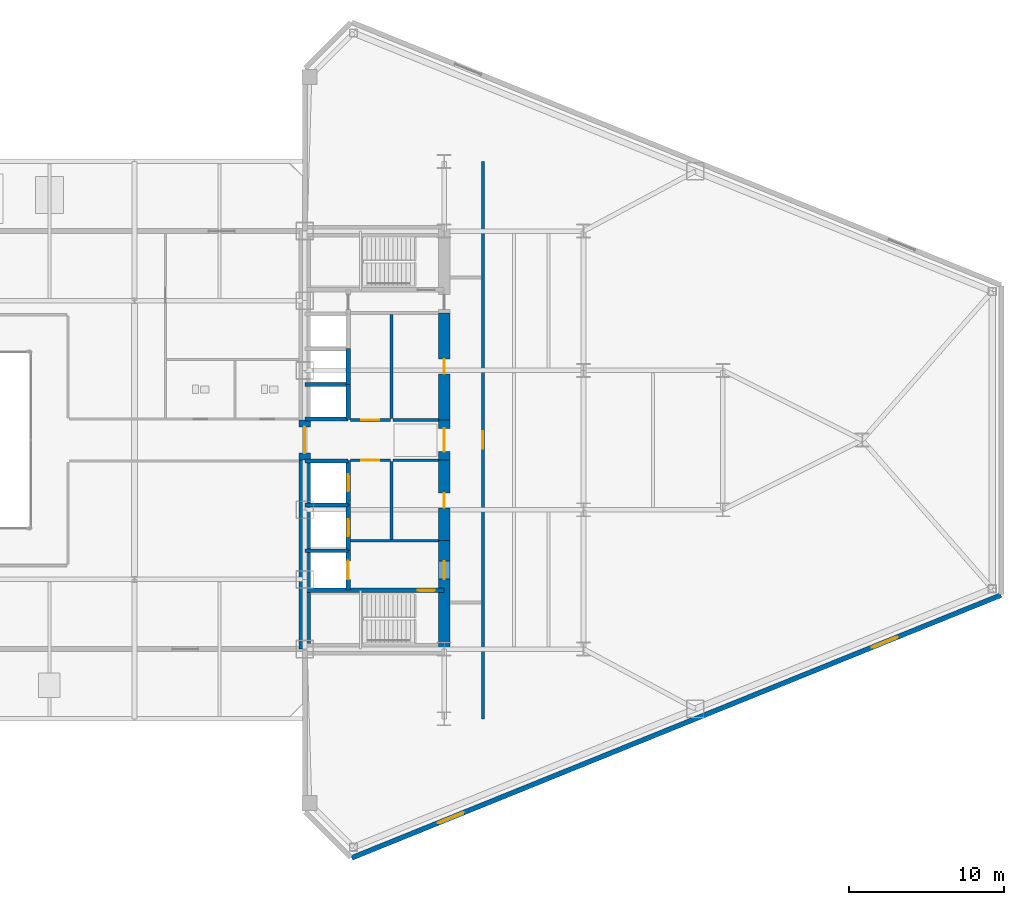
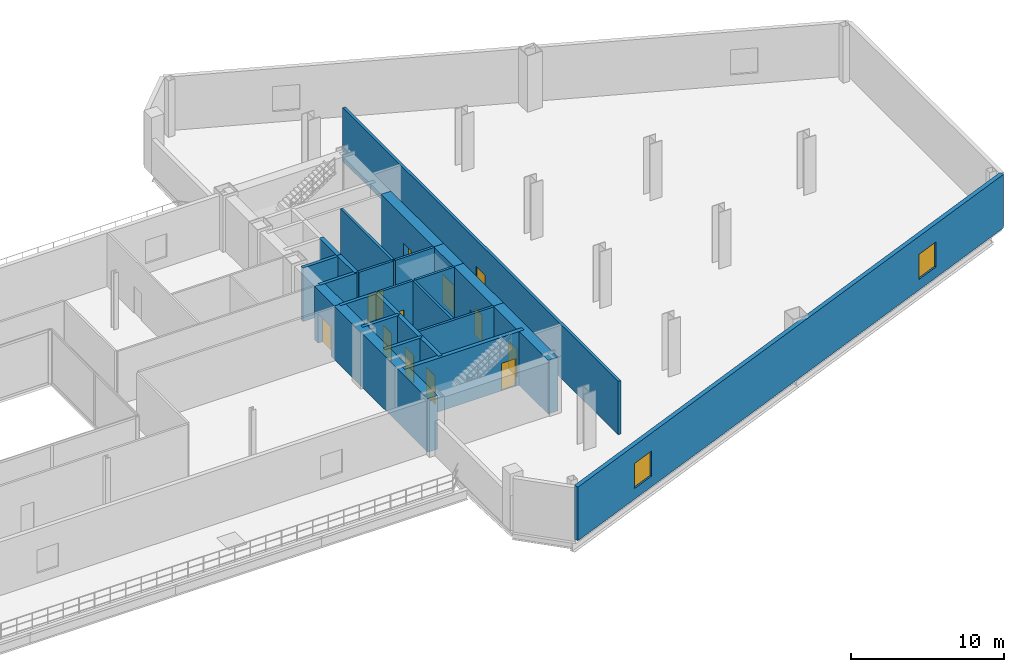
# One storey, part 18 of 23: 26 walls, 12 doors, 2 windows, 14 openings.
"""IFC4 building model written with IfcOpenShell, lengths in metres."""

from ifc_helpers import new_model, si_unit, direction, frame, frame_2d, origin, place, context, subcontext, project, spatial, rectangle, extrude, source, transform, mapped, material, layer, layer_set, type_object, type_shapes, element, fill, save


model = new_model("IFC4")

# Units and contexts
model_context = context("Model", 3, precision=1e-05, world=origin(), true_north=direction((0.0, 1.0)))
body_context = subcontext(model_context, "Body", "Model", "MODEL_VIEW")
ifc_project = project(units=[si_unit("LENGTHUNIT", "METRE"), si_unit("AREAUNIT", "SQUARE_METRE"), si_unit("VOLUMEUNIT", "CUBIC_METRE"), si_unit("PLANEANGLEUNIT", "RADIAN"), si_unit("MASSUNIT", "GRAM", prefix="KILO")], contexts=[model_context])

# Site, building, storey
site_placement = place(None, origin())
site = spatial("IfcSite", under=ifc_project, at=site_placement, CompositionType="ELEMENT")
building_placement = place(site_placement, origin())
building = spatial("IfcBuilding", under=site, at=building_placement, Name="Seokmaru Belvedere", CompositionType="ELEMENT")
storey_placement = place(building_placement, frame((0.0, 0.0, 14.39990234375)))
storey = spatial("IfcBuildingStorey", under=building, at=storey_placement, Name="L03", CompositionType="ELEMENT", Elevation=14.39990234375)

# Walls
ifc_material_1 = material(Name="Fire-Rated Gypsum Shaftwall")
ifc_layer_1 = layer(ifc_material_1, 0.179931640625)
ifc_layer_set_1 = layer_set([ifc_layer_1], Name="Fire-Rated Gypsum Shaftwall")
wall_type_1 = type_object("IfcWallType", Name="Core Service Fire Partition 180", PredefinedType="PARTITIONING", material=ifc_layer_set_1)
wall_1_placement = place(storey_placement, frame((30.449951171875, -6.5, 0.0), z_axis=(0.0, 0.0, 1.0), x_axis=(1.0, 0.0, 0.0)))
element("IfcWall", 1, at=wall_1_placement, inside=storey, type_object=wall_type_1, Name="L03 East Firefighting Lobby Partition", PredefinedType="PARTITIONING", context=body_context, shape_type="SweptSolid", body=[
    extrude(rectangle(XDim=5.699951171875, YDim=0.179931640625, at=frame_2d((2.85009765625, 0.0))), origin(), (0.0, 0.0, 1.0), 4.280029296875),
])
wall_2_placement = place(storey_placement, frame((33.10009765625, -6.419921875, 0.0), z_axis=(0.0, 0.0, 1.0), x_axis=(0.0, 1.0, 0.0)))
element("IfcWall", 2, at=wall_2_placement, inside=storey, type_object=wall_type_1, Name="L03 East South Core Service Back Wall", PredefinedType="PARTITIONING", context=body_context, shape_type="SweptSolid", body=[
    extrude(rectangle(XDim=5.0400390625, YDim=0.179931640625, at=frame_2d((2.52001953125, 0.0))), origin(), (0.0, 0.0, 1.0), 4.280029296875),
])
wall_3_placement = place(storey_placement, frame((33.10009765625, 1.3798828125, 0.0), z_axis=(0.0, 0.0, 1.0), x_axis=(0.0, 1.0, 0.0)))
element("IfcWall", 3, at=wall_3_placement, inside=storey, type_object=wall_type_1, Name="L03 East North Core Service Back Wall", PredefinedType="PARTITIONING", context=body_context, shape_type="SweptSolid", body=[
    extrude(rectangle(XDim=6.740234375, YDim=0.179931640625, at=frame_2d((3.3701171875, 0.0))), origin(), (0.0, 0.0, 1.0), 4.280029296875),
])

# Wall, opening, door
wall_4_placement = place(storey_placement, frame((30.449951171875, -1.300048828125, 0.0), z_axis=(0.0, 0.0, 1.0), x_axis=(1.0, 0.0, 0.0)))
wall_4 = element("IfcWall", 4, at=wall_4_placement, inside=storey, type_object=wall_type_1, Name="L03 East South Lift Lobby Foyer Wall", PredefinedType="PARTITIONING", context=body_context, shape_type="SweptSolid", body=[
    extrude(rectangle(XDim=2.570068359375, YDim=0.179931640625, at=frame_2d((1.28515625, 0.0))), origin(), (0.0, 0.0, 1.0), 4.280029296875),
])
opening_1_placement = place(wall_4_placement, frame((0.7099609375, 0.0, 0.0)))
opening_1 = element("IfcOpeningElement", 5, at=opening_1_placement, cuts=wall_4, Name="Opening D02", PredefinedType="OPENING", context=body_context, shape_type="SweptSolid", body=[
    extrude(rectangle(XDim=1.14990234375, YDim=2.199951171875, at=frame_2d((0.574951171875, 1.10009765625))), frame((0.0, 0.10009765625, 0.0), z_axis=(0.0, -1.0, 0.0), x_axis=(1.0, 0.0, 0.0)), (0.0, 0.0, 1.0), 0.199951171875),
])
ifc_material_2 = material(Name="Fire-Rated Steel Leaf", Category="steel")
door_type_1 = type_object("IfcDoorType", Name="Lobby and Vestibule Fire Door 1150x2200", OperationType="NOTDEFINED", PredefinedType="DOOR", material=ifc_material_2)
shared_shape_1 = source(origin(), body_context, "Body", "SweptSolid", [
    extrude(rectangle(XDim=1.14990234375, YDim=2.199951171875, at=frame_2d((0.574951171875, 1.10009765625))), frame((0.0, 0.02490234375, 0.0), z_axis=(0.0, -1.0, 0.0), x_axis=(1.0, 0.0, 0.0)), (0.0, 0.0, 1.0), 0.050048828125),
])
type_shapes(door_type_1, [shared_shape_1])
door_1_placement = place(opening_1_placement, origin())
door_1 = element("IfcDoor", 6, at=door_1_placement, inside=storey, type_object=door_type_1, Name="L03 East South Core Foyer Door", OperationType="SINGLE_SWING_RIGHT", OverallHeight=2.199951171875, OverallWidth=1.14990234375, PredefinedType="DOOR", context=body_context, shape_type="MappedRepresentation", body=[
    mapped(shared_shape_1, transform((0.0, 0.0, 0.0), scale=1.0)),
])
fill(opening_1, door_1)

wall_5_placement = place(storey_placement, frame((30.449951171875, 1.300048828125, 0.0), z_axis=(0.0, 0.0, 1.0), x_axis=(1.0, 0.0, 0.0)))
wall_5 = element("IfcWall", 7, at=wall_5_placement, inside=storey, type_object=wall_type_1, Name="L03 East North Lift Lobby Foyer Wall", PredefinedType="PARTITIONING", context=body_context, shape_type="SweptSolid", body=[
    extrude(rectangle(XDim=2.570068359375, YDim=0.179931640625, at=frame_2d((1.28515625, 0.0))), origin(), (0.0, 0.0, 1.0), 4.280029296875),
])
opening_2_placement = place(wall_5_placement, frame((0.7099609375, 0.0, 0.0)))
opening_2 = element("IfcOpeningElement", 8, at=opening_2_placement, cuts=wall_5, Name="Opening D02", PredefinedType="OPENING", context=body_context, shape_type="SweptSolid", body=[
    extrude(rectangle(XDim=1.14990234375, YDim=2.199951171875, at=frame_2d((0.574951171875, 1.10009765625))), frame((0.0, 0.10009765625, 0.0), z_axis=(0.0, -1.0, 0.0), x_axis=(1.0, 0.0, 0.0)), (0.0, 0.0, 1.0), 0.199951171875),
])
door_2_placement = place(opening_2_placement, origin())
door_2 = element("IfcDoor", 9, at=door_2_placement, inside=storey, type_object=door_type_1, Name="L03 East North Lift Lobby Door", OperationType="SINGLE_SWING_LEFT", OverallHeight=2.199951171875, OverallWidth=1.14990234375, PredefinedType="DOOR", context=body_context, shape_type="MappedRepresentation", body=[
    mapped(shared_shape_1, transform((0.0, 0.0, 0.0), scale=1.0)),
])
fill(opening_2, door_2)

# Walls
for number, where, z_axis, x_axis, name in (
    (10, (33.199951171875, -1.300048828125, 0.0), (0.0, 0.0, 1.0), (1.0, 0.0, 0.0), "L03 East Foyer Side Wall S"),
    (11, (33.199951171875, 1.300048828125, 0.0), (0.0, 0.0, 1.0), (1.0, 0.0, 0.0), "L03 East Foyer Side Wall N"),
):
    element("IfcWall", number, at=place(storey_placement, frame(where, z_axis=z_axis, x_axis=x_axis)), inside=storey, type_object=wall_type_1, Name=name, PredefinedType="PARTITIONING", context=body_context, shape_type="SweptSolid", body=[
        extrude(rectangle(XDim=2.949951171875, YDim=0.179931640625, at=frame_2d((1.47509765625, 0.0))), origin(), (0.0, 0.0, 1.0), 4.280029296875),
    ])
ifc_material_3 = material(Name="Concrete C50 (50 MPa)", Category="concrete")
ifc_layer_2 = layer(ifc_material_3, 0.25)
ifc_layer_set_2 = layer_set([ifc_layer_2], Name="Concrete C50 (50 MPa)")
wall_type_2 = type_object("IfcWallType", Name="Hoistway Transverse Concrete Divider Wall 250", PredefinedType="SHEAR", material=ifc_layer_set_2)
for number, where, z_axis, x_axis, name in (
    (12, (27.5, -7.14990234375, 0.0), (0.0, 0.0, 1.0), (1.0, 0.0, 0.0), "L03 East Hoistway Divider Core Wall 1"),
    (13, (27.5, -4.199951171875, 0.0), (0.0, 0.0, 1.0), (1.0, 0.0, 0.0), "L03 East Hoistway Divider Core Wall 2"),
    (14, (27.5, -1.35009765625, 0.0), (0.0, 0.0, 1.0), (1.0, 0.0, 0.0), "L03 East Hoistway Divider Core Wall 3"),
    (15, (27.5, 1.35009765625, 0.0), (0.0, 0.0, 1.0), (1.0, 0.0, 0.0), "L03 East Hoistway Divider Core Wall 4"),
    (16, (27.5, 3.60009765625, 0.0), (0.0, 0.0, 1.0), (1.0, 0.0, 0.0), "L03 East Hoistway Divider Core Wall 5"),
):
    element("IfcWall", number, at=place(storey_placement, frame(where, z_axis=z_axis, x_axis=x_axis)), inside=storey, type_object=wall_type_2, Name=name, PredefinedType="SHEAR", context=body_context, shape_type="SweptSolid", body=[
        extrude(rectangle(XDim=2.800048828125, YDim=0.25, at=frame_2d((1.39990234375, 0.0))), origin(), (0.0, 0.0, 1.0), 4.280029296875),
    ])

# Wall, opening, door
ifc_layer_3 = layer(ifc_material_1, 0.199951171875)
ifc_layer_set_3 = layer_set([ifc_layer_3], Name="Fire-Rated Gypsum Shaftwall")
wall_type_3 = type_object("IfcWallType", Name="Inter-Tenancy Fire Compartment Partition 200", PredefinedType="PARTITIONING", material=ifc_layer_set_3)
wall_6_placement = place(storey_placement, frame((39.0, -18.0, 0.0), z_axis=(0.0, 0.0, 1.0), x_axis=(0.0, 1.0, 0.0)))
wall_6 = element("IfcWall", 17, at=wall_6_placement, inside=storey, type_object=wall_type_3, Name="L03 Interior Partition 019", PredefinedType="PARTITIONING", context=body_context, shape_type="SweptSolid", body=[
    extrude(rectangle(XDim=36.0, YDim=0.199951171875, at=frame_2d((18.0, 0.0))), origin(), (0.0, 0.0, 1.0), 4.280029296875),
])
opening_3_placement = place(wall_6_placement, frame((17.425048828125, 0.0, 0.0)))
opening_3 = element("IfcOpeningElement", 18, at=opening_3_placement, cuts=wall_6, Name="Opening D02", PredefinedType="OPENING", context=body_context, shape_type="SweptSolid", body=[
    extrude(rectangle(XDim=1.14990234375, YDim=2.199951171875, at=frame_2d((0.574951171875, 1.10009765625))), frame((0.0, 0.10986328125, 0.0), z_axis=(0.0, -1.0, 0.0), x_axis=(1.0, 0.0, 0.0)), (0.0, 0.0, 1.0), 0.219970703125),
])
door_3_placement = place(opening_3_placement, origin())
door_3 = element("IfcDoor", 19, at=door_3_placement, inside=storey, type_object=door_type_1, Name="L03 Interior Door 002", OperationType="SINGLE_SWING_RIGHT", OverallHeight=2.199951171875, OverallWidth=1.14990234375, PredefinedType="DOOR", context=body_context, shape_type="MappedRepresentation", body=[
    mapped(shared_shape_1, transform((0.0, 0.0, 0.0), scale=1.0)),
])
fill(opening_3, door_3)

ifc_layer_4 = layer(ifc_material_3, 0.300048828125)
ifc_layer_set_4 = layer_set([ifc_layer_4], Name="Concrete C50 (50 MPa)")
wall_type_4 = type_object("IfcWallType", Name="Internal Core Stair and Hoistway Wall 300", PredefinedType="SHEAR", material=ifc_layer_set_4)
wall_7_placement = place(storey_placement, frame((27.5, -9.699951171875, 0.0), z_axis=(0.0, 0.0, 1.0), x_axis=(1.0, 0.0, 0.0)))
wall_7 = element("IfcWall", 20, at=wall_7_placement, inside=storey, type_object=wall_type_4, Name="L03 East Stair ST-1 Enclosure Wall", PredefinedType="SHEAR", context=body_context, shape_type="SweptSolid", body=[
    extrude(rectangle(XDim=9.0, YDim=0.300048828125, at=frame_2d((4.5, 0.0))), origin(), (0.0, 0.0, 1.0), 4.280029296875),
])
opening_4_placement = place(wall_7_placement, frame((7.300048828125, 0.0, 0.0)))
opening_4 = element("IfcOpeningElement", 21, at=opening_4_placement, cuts=wall_7, Name="Opening D01", PredefinedType="OPENING", context=body_context, shape_type="SweptSolid", body=[
    extrude(rectangle(XDim=1.10009765625, YDim=2.199951171875, at=frame_2d((0.550048828125, 1.10009765625))), frame((0.0, 0.16015625, 0.0), z_axis=(0.0, -1.0, 0.0), x_axis=(1.0, 0.0, 0.0)), (0.0, 0.0, 1.0), 0.320068359375),
])
door_type_2 = type_object("IfcDoorType", Name="Special Escape Stair Smokeproof Fire Door 1100x2200", OperationType="NOTDEFINED", PredefinedType="DOOR", material=ifc_material_2)
shared_shape_2 = source(origin(), body_context, "Body", "SweptSolid", [
    extrude(rectangle(XDim=1.10009765625, YDim=2.199951171875, at=frame_2d((0.550048828125, 1.10009765625))), frame((0.0, 0.02490234375, 0.0), z_axis=(0.0, -1.0, 0.0), x_axis=(1.0, 0.0, 0.0)), (0.0, 0.0, 1.0), 0.050048828125),
])
type_shapes(door_type_2, [shared_shape_2])
door_4_placement = place(opening_4_placement, frame((1.10009765625, 0.0, 0.0), z_axis=(0.0, 0.0, 1.0), x_axis=(-1.0, 0.0, 0.0)))
door_4 = element("IfcDoor", 22, at=door_4_placement, inside=storey, type_object=door_type_2, Name="L03 East Special Escape Stair ST-1 Door", OperationType="SINGLE_SWING_RIGHT", OverallHeight=2.199951171875, OverallWidth=1.10009765625, PredefinedType="DOOR", context=body_context, shape_type="MappedRepresentation", body=[
    mapped(shared_shape_2, transform((0.0, 0.0, 0.0), scale=1.0)),
])
fill(opening_4, door_4)

wall_8_placement = place(storey_placement, frame((30.300048828125, -9.679931640625, 0.0), z_axis=(0.0, 0.0, 1.0), x_axis=(0.0, 1.0, 0.0)))
wall_8 = element("IfcWall", 23, at=wall_8_placement, inside=storey, type_object=wall_type_4, Name="L03 East Firefighting Lift Shaft Front Wall", PredefinedType="SHEAR", context=body_context, shape_type="SweptSolid", body=[
    extrude(rectangle(XDim=2.559814453125, YDim=0.300048828125, at=frame_2d((1.27978515625, 0.0))), origin(), (0.0, 0.0, 1.0), 4.280029296875),
])
opening_5_placement = place(wall_8_placement, frame((0.679931640625, 0.0, 0.0)))
opening_5 = element("IfcOpeningElement", 24, at=opening_5_placement, cuts=wall_8, Name="Opening LD2", PredefinedType="OPENING", context=body_context, shape_type="SweptSolid", body=[
    extrude(rectangle(XDim=1.199951171875, YDim=2.25, at=frame_2d((0.60009765625, 1.125))), frame((0.0, 0.16015625, 0.0), z_axis=(0.0, -1.0, 0.0), x_axis=(1.0, 0.0, 0.0)), (0.0, 0.0, 1.0), 0.320068359375),
])
ifc_material_4 = material(Name="Stainless Steel 316", Category="steel")
door_type_3 = type_object("IfcDoorType", Name="Firefighting Lift Sliding Landing Door 1200x2250", OperationType="DOUBLE_DOOR_SLIDING", PredefinedType="DOOR", material=ifc_material_4)
shared_shape_3 = source(origin(), body_context, "Body", "SweptSolid", [
    extrude(rectangle(XDim=1.199951171875, YDim=2.25, at=frame_2d((0.60009765625, 1.125))), frame((0.0, 0.02490234375, 0.0), z_axis=(0.0, -1.0, 0.0), x_axis=(1.0, 0.0, 0.0)), (0.0, 0.0, 1.0), 0.050048828125),
])
type_shapes(door_type_3, [shared_shape_3])
door_5_placement = place(opening_5_placement, origin())
door_5 = element("IfcDoor", 25, at=door_5_placement, inside=storey, type_object=door_type_3, Name="L03 East Firefighting Lift Landing Door", OperationType="DOUBLE_DOOR_SLIDING", OverallHeight=2.25, OverallWidth=1.199951171875, PredefinedType="DOOR", context=body_context, shape_type="MappedRepresentation", body=[
    mapped(shared_shape_3, transform((0.0, 0.0, 0.0), scale=1.0)),
])
fill(opening_5, door_5)

wall_9_placement = place(storey_placement, frame((30.300048828125, -7.1201171875, 0.0), z_axis=(0.0, 0.0, 1.0), x_axis=(0.0, 1.0, 0.0)))
wall_9 = element("IfcWall", 26, at=wall_9_placement, inside=storey, type_object=wall_type_4, Name="L03 East Low-Rise Lift PL-1 Front Wall", PredefinedType="SHEAR", context=body_context, shape_type="SweptSolid", body=[
    extrude(rectangle(XDim=2.920166015625, YDim=0.300048828125, at=frame_2d((1.4599609375, 0.0))), origin(), (0.0, 0.0, 1.0), 4.280029296875),
])
opening_6_placement = place(wall_9_placement, frame((0.909912109375, 0.0, 0.0)))
opening_6 = element("IfcOpeningElement", 27, at=opening_6_placement, cuts=wall_9, Name="Opening LD1", PredefinedType="OPENING", context=body_context, shape_type="SweptSolid", body=[
    extrude(rectangle(XDim=1.10009765625, YDim=2.199951171875, at=frame_2d((0.550048828125, 1.10009765625))), frame((0.0, 0.16015625, 0.0), z_axis=(0.0, -1.0, 0.0), x_axis=(1.0, 0.0, 0.0)), (0.0, 0.0, 1.0), 0.320068359375),
])
door_type_4 = type_object("IfcDoorType", Name="Passenger Lift Sliding Landing Door 1100x2200", OperationType="DOUBLE_DOOR_SLIDING", PredefinedType="DOOR", material=ifc_material_4)
shared_shape_4 = source(origin(), body_context, "Body", "SweptSolid", [
    extrude(rectangle(XDim=1.10009765625, YDim=2.199951171875, at=frame_2d((0.550048828125, 1.10009765625))), frame((0.0, 0.02490234375, 0.0), z_axis=(0.0, -1.0, 0.0), x_axis=(1.0, 0.0, 0.0)), (0.0, 0.0, 1.0), 0.050048828125),
])
type_shapes(door_type_4, [shared_shape_4])
door_6_placement = place(opening_6_placement, origin())
door_6 = element("IfcDoor", 28, at=door_6_placement, inside=storey, type_object=door_type_4, Name="L03 East Low-Rise Lift PL-1 Landing Door", OperationType="DOUBLE_DOOR_SLIDING", OverallHeight=2.199951171875, OverallWidth=1.10009765625, PredefinedType="DOOR", context=body_context, shape_type="MappedRepresentation", body=[
    mapped(shared_shape_4, transform((0.0, 0.0, 0.0), scale=1.0)),
])
fill(opening_6, door_6)

wall_10_placement = place(storey_placement, frame((30.300048828125, -4.199951171875, 0.0), z_axis=(0.0, 0.0, 1.0), x_axis=(0.0, 1.0, 0.0)))
wall_10 = element("IfcWall", 29, at=wall_10_placement, inside=storey, type_object=wall_type_4, Name="L03 East Low-Rise Lift PL-2 Front Wall", PredefinedType="SHEAR", context=body_context, shape_type="SweptSolid", body=[
    extrude(rectangle(XDim=2.8798828125, YDim=0.300048828125, at=frame_2d((1.43994140625, 0.0))), origin(), (0.0, 0.0, 1.0), 4.280029296875),
])
opening_7_placement = place(wall_10_placement, frame((0.889892578125, 0.0, 0.0)))
opening_7 = element("IfcOpeningElement", 30, at=opening_7_placement, cuts=wall_10, Name="Opening LD1", PredefinedType="OPENING", context=body_context, shape_type="SweptSolid", body=[
    extrude(rectangle(XDim=1.10009765625, YDim=2.199951171875, at=frame_2d((0.550048828125, 1.10009765625))), frame((0.0, 0.16015625, 0.0), z_axis=(0.0, -1.0, 0.0), x_axis=(1.0, 0.0, 0.0)), (0.0, 0.0, 1.0), 0.320068359375),
])
door_7_placement = place(opening_7_placement, origin())
door_7 = element("IfcDoor", 31, at=door_7_placement, inside=storey, type_object=door_type_4, Name="L03 East Low-Rise Lift PL-2 Landing Door", OperationType="DOUBLE_DOOR_SLIDING", OverallHeight=2.199951171875, OverallWidth=1.10009765625, PredefinedType="DOOR", context=body_context, shape_type="MappedRepresentation", body=[
    mapped(shared_shape_4, transform((0.0, 0.0, 0.0), scale=1.0)),
])
fill(opening_7, door_7)

# Walls
wall_11_placement = place(storey_placement, frame((30.300048828125, 1.320068359375, 0.0), z_axis=(0.0, 0.0, 1.0), x_axis=(0.0, 1.0, 0.0)))
element("IfcWall", 32, at=wall_11_placement, inside=storey, type_object=wall_type_4, Name="L03 East North Hoistway Wall PH1", PredefinedType="SHEAR", context=body_context, shape_type="SweptSolid", body=[
    extrude(rectangle(XDim=2.280029296875, YDim=0.300048828125, at=frame_2d((1.14013671875, 0.0))), origin(), (0.0, 0.0, 1.0), 4.280029296875),
])
wall_12_placement = place(storey_placement, frame((30.300048828125, 3.60009765625, 0.0), z_axis=(0.0, 0.0, 1.0), x_axis=(0.0, 1.0, 0.0)))
element("IfcWall", 33, at=wall_12_placement, inside=storey, type_object=wall_type_4, Name="L03 East North Hoistway Wall PH2", PredefinedType="SHEAR", context=body_context, shape_type="SweptSolid", body=[
    extrude(rectangle(XDim=2.2998046875, YDim=0.300048828125, at=frame_2d((1.14990234375, 0.0))), origin(), (0.0, 0.0, 1.0), 4.280029296875),
])
ifc_material_5 = material(Name="Concrete C60 (60 MPa)", Category="concrete")
ifc_layer_5 = layer(ifc_material_5, 0.75)
ifc_layer_set_5 = layer_set([ifc_layer_5], Name="Concrete C60 (60 MPa)")
wall_type_5 = type_object("IfcWallType", Name="Lower Tower Reinforced Concrete Core Wall 750", PredefinedType="SHEAR", material=ifc_layer_set_5)
wall_13_placement = place(storey_placement, frame((27.5, -13.5, 0.0), z_axis=(0.0, 0.0, 1.0), x_axis=(0.0, 1.0, 0.0)))
element("IfcWall", 34, at=wall_13_placement, inside=storey, type_object=wall_type_5, Name="L03 East Portal Spine Core Wall South", PredefinedType="SHEAR", context=body_context, shape_type="SweptSolid", body=[
    extrude(rectangle(XDim=12.199951171875, YDim=0.75, at=frame_2d((6.10009765625, 0.0))), origin(), (0.0, 0.0, 1.0), 4.280029296875),
])

# Wall, opening, door
wall_14_placement = place(storey_placement, frame((27.5, -1.300048828125, 0.0), z_axis=(0.0, 0.0, 1.0), x_axis=(0.0, 1.0, 0.0)))
wall_14 = element("IfcWall", 35, at=wall_14_placement, inside=storey, type_object=wall_type_5, Name="L03 East Portal Spine Core Wall Center", PredefinedType="SHEAR", context=body_context, shape_type="SweptSolid", body=[
    extrude(rectangle(XDim=2.60009765625, YDim=0.75, at=frame_2d((1.300048828125, 0.0))), origin(), (0.0, 0.0, 1.0), 4.280029296875),
])
opening_8_placement = place(wall_14_placement, frame((0.449951171875, 0.0, 0.0)))
opening_8 = element("IfcOpeningElement", 36, at=opening_8_placement, cuts=wall_14, Name="Opening D09", PredefinedType="OPENING", context=body_context, shape_type="SweptSolid", body=[
    extrude(rectangle(XDim=1.699951171875, YDim=2.35009765625, at=frame_2d((0.85009765625, 1.175048828125))), frame((0.0, 0.385009765625, 0.0), z_axis=(0.0, -1.0, 0.0), x_axis=(1.0, 0.0, 0.0)), (0.0, 0.0, 1.0), 0.77001953125),
])
door_type_5 = type_object("IfcDoorType", Name="Sky-Gate Bridge Inter-Tower Fire Door 1700x2350", OperationType="DOUBLE_SWING_LEFT", PredefinedType="DOOR", material=ifc_material_2)
shared_shape_5 = source(origin(), body_context, "Body", "SweptSolid", [
    extrude(rectangle(XDim=1.699951171875, YDim=2.35009765625, at=frame_2d((0.85009765625, 1.175048828125))), frame((0.0, 0.02490234375, 0.0), z_axis=(0.0, -1.0, 0.0), x_axis=(1.0, 0.0, 0.0)), (0.0, 0.0, 1.0), 0.050048828125),
])
type_shapes(door_type_5, [shared_shape_5])
door_8_placement = place(opening_8_placement, origin())
door_8 = element("IfcDoor", 37, at=door_8_placement, inside=storey, type_object=door_type_5, Name="L03 East Inter-Tower Fire Door", OperationType="DOUBLE_SWING_LEFT", OverallHeight=2.35009765625, OverallWidth=1.699951171875, PredefinedType="DOOR", context=body_context, shape_type="MappedRepresentation", body=[
    mapped(shared_shape_5, transform((0.0, 0.0, 0.0), scale=1.0)),
])
fill(opening_8, door_8)

wall_15_placement = place(storey_placement, frame((36.5, -13.64990234375, 0.0), z_axis=(0.0, 0.0, 1.0), x_axis=(0.0, 1.0, 0.0)))
wall_15 = element("IfcWall", 38, at=wall_15_placement, inside=storey, type_object=wall_type_5, Name="L03 East West Core Wall FF", PredefinedType="SHEAR", context=body_context, shape_type="SweptSolid", body=[
    extrude(rectangle(XDim=7.14990234375, YDim=0.75, at=frame_2d((3.574951171875, 0.0))), origin(), (0.0, 0.0, 1.0), 4.280029296875),
])
opening_9_placement = place(wall_15_placement, frame((4.675048828125, 0.0, 0.0)))
opening_9 = element("IfcOpeningElement", 39, at=opening_9_placement, cuts=wall_15, Name="Opening D02", PredefinedType="OPENING", context=body_context, shape_type="SweptSolid", body=[
    extrude(rectangle(XDim=1.14990234375, YDim=2.199951171875, at=frame_2d((0.574951171875, 1.10009765625))), frame((0.0, 0.385009765625, 0.0), z_axis=(0.0, -1.0, 0.0), x_axis=(1.0, 0.0, 0.0)), (0.0, 0.0, 1.0), 0.77001953125),
])
door_9_placement = place(opening_9_placement, origin())
door_9 = element("IfcDoor", 40, at=door_9_placement, inside=storey, type_object=door_type_1, Name="L03 East Firefighting Lobby Door", OperationType="SINGLE_SWING_RIGHT", OverallHeight=2.199951171875, OverallWidth=1.14990234375, PredefinedType="DOOR", context=body_context, shape_type="MappedRepresentation", body=[
    mapped(shared_shape_1, transform((0.0, 0.0, 0.0), scale=1.0)),
])
fill(opening_9, door_9)

wall_16_placement = place(storey_placement, frame((36.5, -1.300048828125, 0.0), z_axis=(0.0, 0.0, 1.0), x_axis=(0.0, 1.0, 0.0)))
wall_16 = element("IfcWall", 41, at=wall_16_placement, inside=storey, type_object=wall_type_5, Name="L03 East West Core Wall FOY", PredefinedType="SHEAR", context=body_context, shape_type="SweptSolid", body=[
    extrude(rectangle(XDim=2.60009765625, YDim=0.75, at=frame_2d((1.300048828125, 0.0))), origin(), (0.0, 0.0, 1.0), 4.280029296875),
])
opening_10_placement = place(wall_16_placement, frame((0.550048828125, 0.0, 0.0)))
opening_10 = element("IfcOpeningElement", 42, at=opening_10_placement, cuts=wall_16, Name="Opening D08", PredefinedType="OPENING", context=body_context, shape_type="SweptSolid", body=[
    extrude(rectangle(XDim=1.5, YDim=2.300048828125, at=frame_2d((0.75, 1.14990234375))), frame((0.0, 0.385009765625, 0.0), z_axis=(0.0, -1.0, 0.0), x_axis=(1.0, 0.0, 0.0)), (0.0, 0.0, 1.0), 0.77001953125),
])
door_type_6 = type_object("IfcDoorType", Name="Cross-Corridor Compartment Double Fire Door 1500x2300", OperationType="DOUBLE_SWING_LEFT", PredefinedType="DOOR", material=ifc_material_2)
shared_shape_6 = source(origin(), body_context, "Body", "SweptSolid", [
    extrude(rectangle(XDim=1.5, YDim=2.300048828125, at=frame_2d((0.75, 1.14990234375))), frame((0.0, 0.02490234375, 0.0), z_axis=(0.0, -1.0, 0.0), x_axis=(1.0, 0.0, 0.0)), (0.0, 0.0, 1.0), 0.050048828125),
])
type_shapes(door_type_6, [shared_shape_6])
door_10_placement = place(opening_10_placement, origin())
door_10 = element("IfcDoor", 43, at=door_10_placement, inside=storey, type_object=door_type_6, Name="L03 East Core Foyer Compartment Door", OperationType="DOUBLE_SWING_LEFT", OverallHeight=2.300048828125, OverallWidth=1.5, PredefinedType="DOOR", context=body_context, shape_type="MappedRepresentation", body=[
    mapped(shared_shape_6, transform((0.0, 0.0, 0.0), scale=1.0)),
])
fill(opening_10, door_10)

wall_17_placement = place(storey_placement, frame((36.5, -6.5, 0.0), z_axis=(0.0, 0.0, 1.0), x_axis=(0.0, 1.0, 0.0)))
wall_17 = element("IfcWall", 44, at=wall_17_placement, inside=storey, type_object=wall_type_5, Name="L03 East West Core Wall CS1", PredefinedType="SHEAR", context=body_context, shape_type="SweptSolid", body=[
    extrude(rectangle(XDim=5.199951171875, YDim=0.75, at=frame_2d((2.60009765625, 0.0))), origin(), (0.0, 0.0, 1.0), 4.280029296875),
])
opening_11_placement = place(wall_17_placement, frame((2.125, 0.0, 0.0)))
opening_11 = element("IfcOpeningElement", 45, at=opening_11_placement, cuts=wall_17, Name="Opening D04", PredefinedType="OPENING", context=body_context, shape_type="SweptSolid", body=[
    extrude(rectangle(XDim=0.949951171875, YDim=2.14990234375, at=frame_2d((0.47509765625, 1.074951171875))), frame((0.0, 0.385009765625, 0.0), z_axis=(0.0, -1.0, 0.0), x_axis=(1.0, 0.0, 0.0)), (0.0, 0.0, 1.0), 0.77001953125),
])
door_type_7 = type_object("IfcDoorType", Name="Core Service Room Fire Door 950x2150", OperationType="NOTDEFINED", PredefinedType="DOOR", material=ifc_material_2)
shared_shape_7 = source(origin(), body_context, "Body", "SweptSolid", [
    extrude(rectangle(XDim=0.949951171875, YDim=2.14990234375, at=frame_2d((0.47509765625, 1.074951171875))), frame((0.0, 0.02490234375, 0.0), z_axis=(0.0, -1.0, 0.0), x_axis=(1.0, 0.0, 0.0)), (0.0, 0.0, 1.0), 0.050048828125),
])
type_shapes(door_type_7, [shared_shape_7])
door_11_placement = place(opening_11_placement, origin())
door_11 = element("IfcDoor", 46, at=door_11_placement, inside=storey, type_object=door_type_7, Name="L03 East Core Service Room Door 1", OperationType="SINGLE_SWING_RIGHT", OverallHeight=2.14990234375, OverallWidth=0.949951171875, PredefinedType="DOOR", context=body_context, shape_type="MappedRepresentation", body=[
    mapped(shared_shape_7, transform((0.0, 0.0, 0.0), scale=1.0)),
])
fill(opening_11, door_11)

wall_18_placement = place(storey_placement, frame((36.5, 1.300048828125, 0.0), z_axis=(0.0, 0.0, 1.0), x_axis=(0.0, 1.0, 0.0)))
wall_18 = element("IfcWall", 47, at=wall_18_placement, inside=storey, type_object=wall_type_5, Name="L03 East West Core Wall CS2", PredefinedType="SHEAR", context=body_context, shape_type="SweptSolid", body=[
    extrude(rectangle(XDim=6.89990234375, YDim=0.75, at=frame_2d((3.449951171875, 0.0))), origin(), (0.0, 0.0, 1.0), 4.280029296875),
])
opening_12_placement = place(wall_18_placement, frame((2.97509765625, 0.0, 0.0)))
opening_12 = element("IfcOpeningElement", 48, at=opening_12_placement, cuts=wall_18, Name="Opening D04", PredefinedType="OPENING", context=body_context, shape_type="SweptSolid", body=[
    extrude(rectangle(XDim=0.949951171875, YDim=2.14990234375, at=frame_2d((0.47509765625, 1.074951171875))), frame((0.0, 0.385009765625, 0.0), z_axis=(0.0, -1.0, 0.0), x_axis=(1.0, 0.0, 0.0)), (0.0, 0.0, 1.0), 0.77001953125),
])
door_12_placement = place(opening_12_placement, origin())
door_12 = element("IfcDoor", 49, at=door_12_placement, inside=storey, type_object=door_type_7, Name="L03 East Core Service Room Door 2", OperationType="SINGLE_SWING_LEFT", OverallHeight=2.14990234375, OverallWidth=0.949951171875, PredefinedType="DOOR", context=body_context, shape_type="MappedRepresentation", body=[
    mapped(shared_shape_7, transform((0.0, 0.0, 0.0), scale=1.0)),
])
fill(opening_12, door_12)

# Wall, openings, windows
ifc_material_6 = material(Name="Concrete C40 (40 MPa)", Category="concrete")
ifc_layer_6 = layer(ifc_material_6, 0.320068359375)
ifc_layer_set_6 = layer_set([ifc_layer_6], Name="Concrete C40 (40 MPa)")
wall_type_6 = type_object("IfcWallType", Name="Podium Terrace Insulated Wall 320", PredefinedType="SOLIDWALL", material=ifc_layer_set_6)
wall_19_placement = place(storey_placement, frame((30.537109375, -26.985107421875, 0.0), z_axis=(0.0, 0.0, 1.0), x_axis=(0.926944846568, 0.375197616492, 0.0)))
wall_19 = element("IfcWall", 50, at=wall_19_placement, inside=storey, type_object=wall_type_6, Name="L03 Exterior Podium Wall 07", PredefinedType="SOLIDWALL", context=body_context, shape_type="SweptSolid", body=[
    extrude(rectangle(XDim=45.22998046875, YDim=0.320068359375, at=frame_2d((22.614990234375, 0.0))), origin(), (0.0, 0.0, 1.0), 4.280029296875),
])
opening_13_placement = place(wall_19_placement, frame((6.0, 0.0, 0.85009765625)))
opening_13 = element("IfcOpeningElement", 51, at=opening_13_placement, cuts=wall_19, Name="Opening WN2", PredefinedType="OPENING", context=body_context, shape_type="SweptSolid", body=[
    extrude(rectangle(XDim=1.800048828125, YDim=2.0, at=frame_2d((0.89990234375, 1.0))), frame((0.0, 0.169921875, 0.0), z_axis=(0.0, -1.0, 0.0), x_axis=(1.0, 0.0, 0.0)), (0.0, 0.0, 1.0), 0.340087890625),
])
opening_14_placement = place(wall_19_placement, frame((36.22998046875, 0.0, 0.85009765625)))
opening_14 = element("IfcOpeningElement", 52, at=opening_14_placement, cuts=wall_19, Name="Opening WN2", PredefinedType="OPENING", context=body_context, shape_type="SweptSolid", body=[
    extrude(rectangle(XDim=1.800048828125, YDim=2.0, at=frame_2d((0.89990234375, 1.0))), frame((0.0, 0.169921875, 0.0), z_axis=(0.0, -1.0, 0.0), x_axis=(1.0, 0.0, 0.0)), (0.0, 0.0, 1.0), 0.340087890625),
])
ifc_material_7 = material(Name="Bronze Triple Insulating Glass", Category="glass")
window_type = type_object("IfcWindowType", Name="Podium Gallery Window 1800x2000", PartitioningType="SINGLE_PANEL", PredefinedType="WINDOW", material=ifc_material_7)
shared_shape_8 = source(origin(), body_context, "Body", "SweptSolid", [
    extrude(rectangle(XDim=1.800048828125, YDim=2.0, at=frame_2d((0.89990234375, 1.0))), frame((0.0, 0.030029296875, 0.0), z_axis=(0.0, -1.0, 0.0), x_axis=(1.0, 0.0, 0.0)), (0.0, 0.0, 1.0), 0.06005859375),
])
type_shapes(window_type, [shared_shape_8])
window_1_placement = place(opening_13_placement, origin())
window_1 = element("IfcWindow", 53, at=window_1_placement, inside=storey, type_object=window_type, Name="L03 Podium Gallery Window 6-1", OverallHeight=2.0, OverallWidth=1.800048828125, PartitioningType="SINGLE_PANEL", PredefinedType="WINDOW", context=body_context, shape_type="MappedRepresentation", body=[
    mapped(shared_shape_8, transform((0.0, 0.0, 0.0), scale=1.0)),
])
fill(opening_13, window_1)
window_2_placement = place(opening_14_placement, origin())
window_2 = element("IfcWindow", 54, at=window_2_placement, inside=storey, type_object=window_type, Name="L03 Podium Gallery Window 6-2", OverallHeight=2.0, OverallWidth=1.800048828125, PartitioningType="SINGLE_PANEL", PredefinedType="WINDOW", context=body_context, shape_type="MappedRepresentation", body=[
    mapped(shared_shape_8, transform((0.0, 0.0, 0.0), scale=1.0)),
])
fill(opening_14, window_2)

save(model, "model.ifc")
